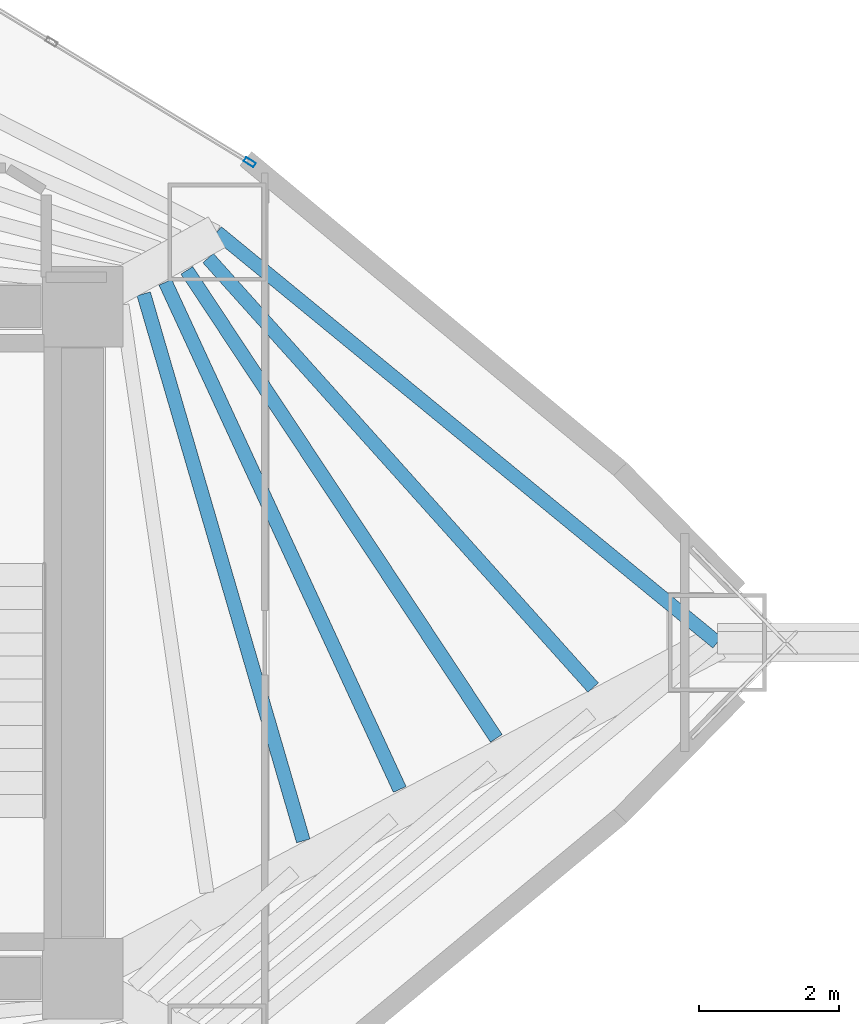
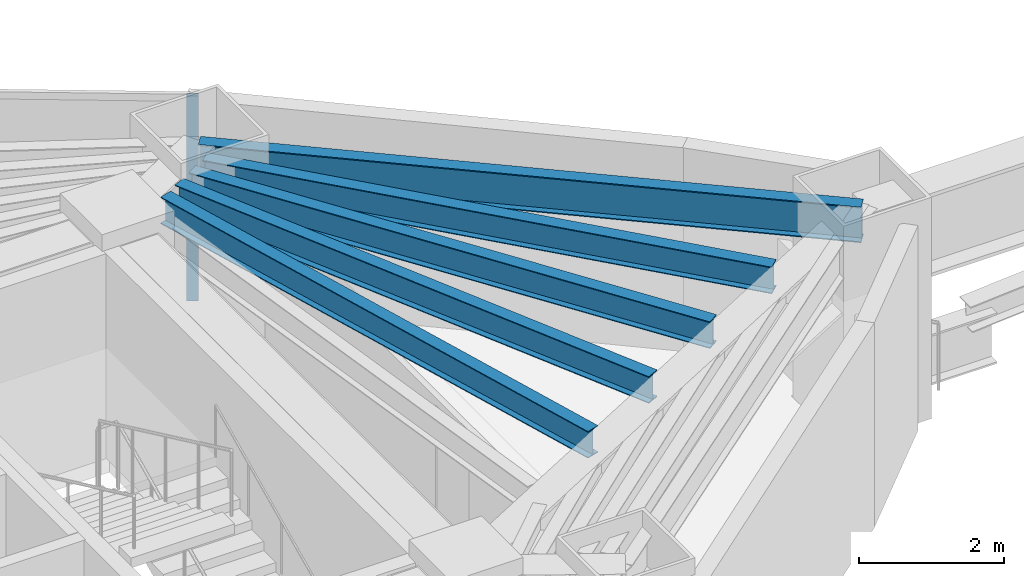
# One storey, part 11 of 18: 5 beams, 1 member, 1 element without a shape of its own.
"""IFC4 building model written with IfcOpenShell, lengths in metres."""

from ifc_helpers import new_model, si_unit, direction, frame, origin, origin_2d, place, context, subcontext, project, spatial, hollow_rectangle, i_section, extrude, material, layer, layer_set, material_profile, profile_set, type_object, element, aggregate, save


model = new_model("IFC4")

# Units and contexts
model_context = context("Model", 3, precision=1e-05, world=origin(), true_north=direction((0.0, 1.0)))
body_context = subcontext(model_context, "Body", "Model", "MODEL_VIEW")
ifc_project = project(units=[si_unit("LENGTHUNIT", "METRE"), si_unit("AREAUNIT", "SQUARE_METRE"), si_unit("VOLUMEUNIT", "CUBIC_METRE"), si_unit("PLANEANGLEUNIT", "RADIAN"), si_unit("MASSUNIT", "GRAM", prefix="KILO")], contexts=[model_context])

# Site, building, storey
site_placement = place(None, origin())
site = spatial("IfcSite", under=ifc_project, at=site_placement, CompositionType="ELEMENT")
building_placement = place(site_placement, origin())
building = spatial("IfcBuilding", under=site, at=building_placement, Name="Menara Vayukalpa", CompositionType="ELEMENT")
storey_placement = place(building_placement, frame((0.0, 0.0, 53.639892578125)))
storey = spatial("IfcBuildingStorey", under=building, at=storey_placement, Name="L12", CompositionType="ELEMENT", Elevation=53.639892578125)

# Beams
ifc_material_1 = material(Name="Steel S355", Category="steel")
ifc_material_profile_1 = material_profile(ifc_material_1, i_section(OverallWidth=0.199951171875, OverallDepth=0.449951171875, WebThickness=0.009033203125, FlangeThickness=0.013916015625, at=origin_2d()), Name="WF 450x200x9x14")
ifc_profile_set_1 = profile_set([ifc_material_profile_1], Name="Steel S355")
beam_type_1 = type_object("IfcBeamType", Name="BM-SJ1", PredefinedType="JOIST", material=ifc_profile_set_1)
beam_1_placement = place(storey_placement, frame((36.55224609375, 19.16845703125, 3.215087890625), z_axis=(-0.280108262357, 0.959968416855, 0.0), x_axis=(-0.959968416855, -0.280108262357, 0.0)))
element("IfcBeam", 1, at=beam_1_placement, inside=storey, type_object=beam_type_1, Name="L12 Secondary Floor Joist SJ01-2", PredefinedType="JOIST", context=body_context, shape_type="SweptSolid", body=[
    extrude(i_section(OverallWidth=0.199951171875, OverallDepth=0.449951171875, WebThickness=0.009033203125, FlangeThickness=0.013916015625, at=origin_2d()), origin(), (0.0, 0.0, 1.0), 8.139892578125),
])
beam_2_placement = place(storey_placement, frame((37.9296875, 19.903564453125, 3.215087890625), z_axis=(-0.419566420278, 0.907724638299, 0.0), x_axis=(-0.907724638299, -0.419566420278, 0.0)))
element("IfcBeam", 2, at=beam_2_placement, inside=storey, type_object=beam_type_1, Name="L12 Secondary Floor Joist SJ01-3", PredefinedType="JOIST", context=body_context, shape_type="SweptSolid", body=[
    extrude(i_section(OverallWidth=0.199951171875, OverallDepth=0.449951171875, WebThickness=0.009033203125, FlangeThickness=0.013916015625, at=origin_2d()), origin(), (0.0, 0.0, 1.0), 7.97998046875),
])
beam_3_placement = place(storey_placement, frame((39.30908203125, 20.633056640625, 3.215087890625), z_axis=(-0.5515465628, 0.834144105693, 0.0), x_axis=(-0.834144105693, -0.5515465628, 0.0)))
element("IfcBeam", 3, at=beam_3_placement, inside=storey, type_object=beam_type_1, Name="L12 Secondary Floor Joist SJ01-4", PredefinedType="JOIST", context=body_context, shape_type="SweptSolid", body=[
    extrude(i_section(OverallWidth=0.199951171875, OverallDepth=0.449951171875, WebThickness=0.009033203125, FlangeThickness=0.013916015625, at=origin_2d()), origin(), (0.0, 0.0, 1.0), 8.013671875),
])
beam_4_placement = place(storey_placement, frame((40.692626953125, 21.358154296875, 3.215087890625), z_axis=(-0.667567107204, 0.744549633926, 0.0), x_axis=(-0.744549633926, -0.667567107204, 0.0)))
element("IfcBeam", 4, at=beam_4_placement, inside=storey, type_object=beam_type_1, Name="L12 Secondary Floor Joist SJ01-5", PredefinedType="JOIST", context=body_context, shape_type="SweptSolid", body=[
    extrude(i_section(OverallWidth=0.199951171875, OverallDepth=0.449951171875, WebThickness=0.009033203125, FlangeThickness=0.013916015625, at=origin_2d()), origin(), (0.0, 0.0, 1.0), 8.2392578125),
])
ifc_material_2 = material(Name="Steel S355", Category="steel")
ifc_material_profile_2 = material_profile(ifc_material_2, i_section(OverallWidth=0.199951171875, OverallDepth=0.60009765625, WebThickness=0.010986328125, FlangeThickness=0.01708984375, at=origin_2d()), Name="WF 600x200x11x17")
ifc_profile_set_2 = profile_set([ifc_material_profile_2], Name="Steel S355")
beam_type_2 = type_object("IfcBeamType", Name="BM-SP1", PredefinedType="SPANDREL", material=ifc_profile_set_2)
beam_5_placement = place(storey_placement, frame((42.46484375, 22.0, 3.14013671875), z_axis=(-0.773110561587, 0.63427128231, 0.0), x_axis=(-0.63427128231, -0.773110561587, 0.0)))
element("IfcBeam", 5, at=beam_5_placement, inside=storey, type_object=beam_type_2, Name="L12 Perimeter Spandrel Beam SP01", PredefinedType="SPANDREL", context=body_context, shape_type="SweptSolid", body=[
    extrude(i_section(OverallWidth=0.199951171875, OverallDepth=0.60009765625, WebThickness=0.010986328125, FlangeThickness=0.01708984375, at=origin_2d()), origin(), (0.0, 0.0, 1.0), 9.244140625),
])

# Curtain wall, member
ifc_material_3 = material(Name="Anodised Terracotta Aluminium Alloy 6063-T6", Category="masonry")
ifc_layer = layer(ifc_material_3, 0.1650390625)
ifc_layer_set = layer_set([ifc_layer], Name="Anodised Terracotta Aluminium Alloy 6063-T6")
curtain_wall_type = type_object("IfcCurtainWallType", Name="CW-CW2", PredefinedType="USERDEFINED", material=ifc_layer_set)
curtain_wall_placement = place(storey_placement, origin())
curtain_wall = element("IfcCurtainWall", 6, at=curtain_wall_placement, inside=storey, type_object=curtain_wall_type, Name="L12 Low Rise Terracotta Ribbon Curtain Wall CW2 04", ObjectType="UNITISED", PredefinedType="USERDEFINED")
ifc_material_4 = material(Name="Anodised Terracotta Aluminium Alloy 6063-T6", Category="masonry")
ifc_material_profile_3 = material_profile(ifc_material_4, hollow_rectangle(XDim=0.070068359375, YDim=0.1650390625, WallThickness=0.00390625, at=origin_2d()), Name="ALU 70x165x4")
ifc_profile_set_3 = profile_set([ifc_material_profile_3], Name="Anodised Terracotta Aluminium Alloy 6063-T6")
member_type = type_object("IfcMemberType", Name="CWM-CW2", PredefinedType="MULLION", material=ifc_profile_set_3)
member_placement = place(storey_placement, frame((35.787353515625, 28.861572265625, 0.0), z_axis=(0.0, 0.0, 1.0), x_axis=(-0.519181964377, -0.854663727945, 0.0)))
member = element("IfcMember", 7, at=member_placement, type_object=member_type, Name="CW2 mullion 1", PredefinedType="MULLION", context=body_context, shape_type="SweptSolid", body=[
    extrude(hollow_rectangle(XDim=0.070068359375, YDim=0.1650390625, WallThickness=0.00390625, at=origin_2d()), origin(), (0.0, 0.0, 1.0), 3.440185546875),
])
aggregate(curtain_wall, [member])

save(model, "model.ifc")
